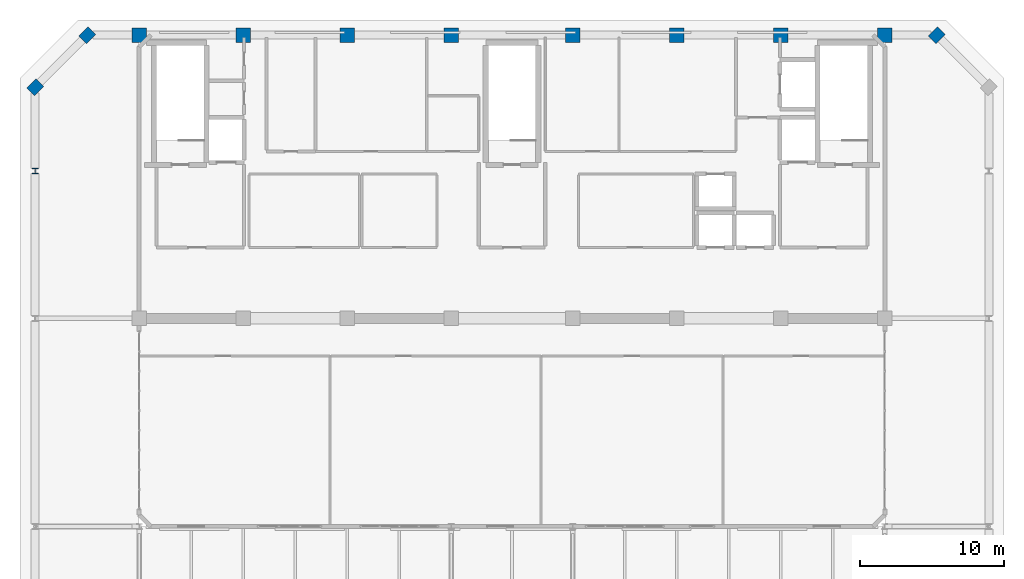
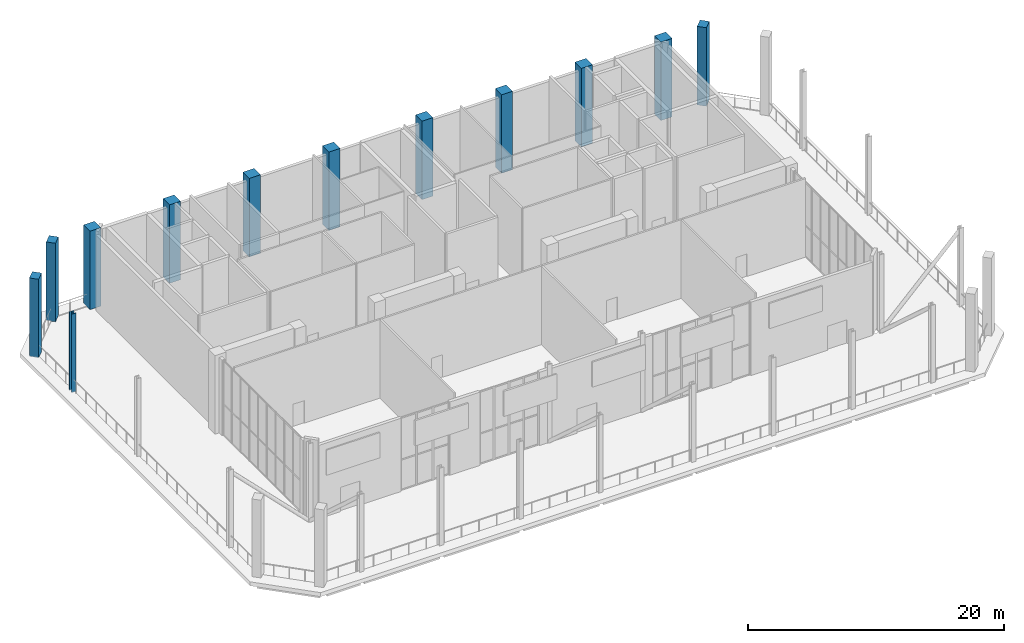
# One storey, part 2 of 23: 12 columns.
"""IFC4 building model written with IfcOpenShell, lengths in metres."""

from ifc_helpers import new_model, si_unit, direction, frame, origin, origin_2d, place, context, subcontext, project, spatial, rectangle, i_section, extrude, material, material_profile, profile_set, type_object, element, save


model = new_model("IFC4")

# Units and contexts
model_context = context("Model", 3, precision=1e-05, world=origin(), true_north=direction((0.0, 1.0)))
body_context = subcontext(model_context, "Body", "Model", "MODEL_VIEW")
ifc_project = project(units=[si_unit("LENGTHUNIT", "METRE"), si_unit("AREAUNIT", "SQUARE_METRE"), si_unit("VOLUMEUNIT", "CUBIC_METRE"), si_unit("PLANEANGLEUNIT", "RADIAN"), si_unit("MASSUNIT", "GRAM", prefix="KILO")], contexts=[model_context])

# Site, building, storey
site_placement = place(None, origin())
site = spatial("IfcSite", under=ifc_project, at=site_placement, CompositionType="ELEMENT")
building_placement = place(site_placement, origin())
building = spatial("IfcBuilding", under=site, at=building_placement, Name="Kaelvorn Grand Hotel", CompositionType="ELEMENT")
storey_placement = place(building_placement, frame((0.0, 0.0, 310.699951171875)))
storey = spatial("IfcBuildingStorey", under=building, at=storey_placement, Name="L75", CompositionType="ELEMENT", Elevation=310.699951171875)

# Columns
ifc_material_1 = material(Name="Concrete C60/75", Category="concrete")
ifc_material_profile_1 = material_profile(ifc_material_1, rectangle(XDim=0.89990234375, YDim=0.75, at=origin_2d()), Name="RC PILASTER 900x750")
ifc_profile_set_1 = profile_set([ifc_material_profile_1], Name="Concrete C60/75")
column_type_1 = type_object("IfcColumnType", Name="COL-PIL-900x750-C60", PredefinedType="PILASTER", material=ifc_profile_set_1)
for number, where, z_axis, x_axis, name in (
    (1, (71.39990234375, 49.0, 0.0), (0.0, 0.0, 1.0), (0.707106781187, 0.707106781187, 0.0), "L75 Structural Column CH-05"),
    (2, (12.60009765625, 49.0, 0.0), (0.0, 0.0, 1.0), (0.707106781187, 0.707106781187, 0.0), "L75 Structural Column CH-06"),
    (3, (9.0, 45.39990234375, 0.0), (0.0, 0.0, 1.0), (0.707106781187, 0.707106781187, 0.0), "L75 Structural Column CH-07"),
):
    element("IfcColumn", number, at=place(storey_placement, frame(where, z_axis=z_axis, x_axis=x_axis)), inside=storey, type_object=column_type_1, Name=name, PredefinedType="PILASTER", context=body_context, shape_type="SweptSolid", body=[
        extrude(rectangle(XDim=0.89990234375, YDim=0.75, at=origin_2d()), origin(), (0.0, 0.0, 1.0), 7.5),
    ])
ifc_material_2 = material(Name="Concrete C50/60", Category="concrete")
ifc_material_profile_2 = material_profile(ifc_material_2, rectangle(XDim=1.0, YDim=1.0, at=origin_2d()), Name="RC COL 1000x1000")
ifc_profile_set_2 = profile_set([ifc_material_profile_2], Name="Concrete C50/60")
column_type_2 = type_object("IfcColumnType", Name="COL-RC-1000-C50", PredefinedType="COLUMN", material=ifc_profile_set_2)
for number, where, z_axis, x_axis, name in (
    (4, (16.199951171875, 49.0, 0.0), (0.0, 0.0, 1.0), (1.0, 0.0, 0.0), "L75 Structural Column PVN-01"),
    (5, (23.39990234375, 49.0, 0.0), (0.0, 0.0, 1.0), (1.0, 0.0, 0.0), "L75 Structural Column PVN-02"),
    (6, (30.60009765625, 49.0, 0.0), (0.0, 0.0, 1.0), (1.0, 0.0, 0.0), "L75 Structural Column PVN-03"),
    (7, (37.800048828125, 49.0, 0.0), (0.0, 0.0, 1.0), (1.0, 0.0, 0.0), "L75 Structural Column PVN-04"),
    (8, (46.199951171875, 49.0, 0.0), (0.0, 0.0, 1.0), (1.0, 0.0, 0.0), "L75 Structural Column PVN-05"),
    (9, (53.39990234375, 49.0, 0.0), (0.0, 0.0, 1.0), (1.0, 0.0, 0.0), "L75 Structural Column PVN-06"),
    (10, (60.60009765625, 49.0, 0.0), (0.0, 0.0, 1.0), (1.0, 0.0, 0.0), "L75 Structural Column PVN-07"),
    (11, (67.800048828125, 49.0, 0.0), (0.0, 0.0, 1.0), (1.0, 0.0, 0.0), "L75 Structural Column PVN-08"),
):
    element("IfcColumn", number, at=place(storey_placement, frame(where, z_axis=z_axis, x_axis=x_axis)), inside=storey, type_object=column_type_2, Name=name, PredefinedType="COLUMN", context=body_context, shape_type="SweptSolid", body=[
        extrude(rectangle(XDim=1.0, YDim=1.0, at=origin_2d()), origin(), (0.0, 0.0, 1.0), 7.5),
    ])
ifc_material_3 = material(Name="Steel S355", Category="steel")
ifc_material_profile_3 = material_profile(ifc_material_3, i_section(OverallWidth=0.39892578125, OverallDepth=0.3935546875, WebThickness=0.022705078125, FlangeThickness=0.03662109375, FilletRadius=0.01513671875, at=origin_2d()), Name="UC 356x406x287")
ifc_profile_set_3 = profile_set([ifc_material_profile_3], Name="Steel S355")
column_type_3 = type_object("IfcColumnType", Name="COL-STL-UC356-S355", PredefinedType="COLUMN", material=ifc_profile_set_3)
column_placement = place(storey_placement, frame((9.0, 39.60009765625, 0.0), z_axis=(0.0, 0.0, 1.0), x_axis=(1.0, 0.0, 0.0)))
element("IfcColumn", 12, at=column_placement, inside=storey, type_object=column_type_3, Name="L75 Structural Column CPW-03", PredefinedType="COLUMN", context=body_context, shape_type="SweptSolid", body=[
    extrude(i_section(OverallWidth=0.39892578125, OverallDepth=0.3935546875, WebThickness=0.022705078125, FlangeThickness=0.03662109375, FilletRadius=0.01513671875, at=origin_2d()), origin(), (0.0, 0.0, 1.0), 7.5),
])

save(model, "model.ifc")
